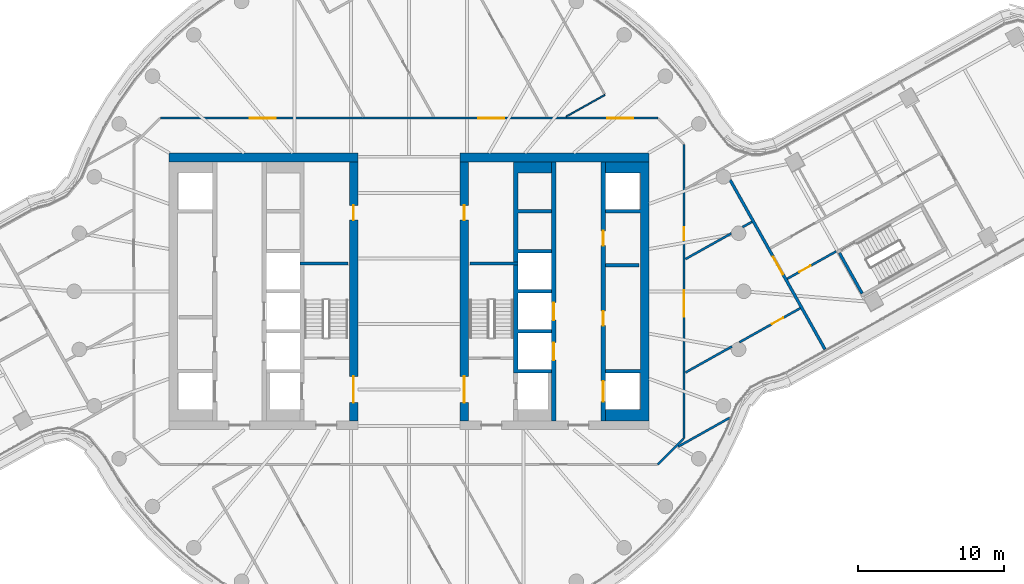
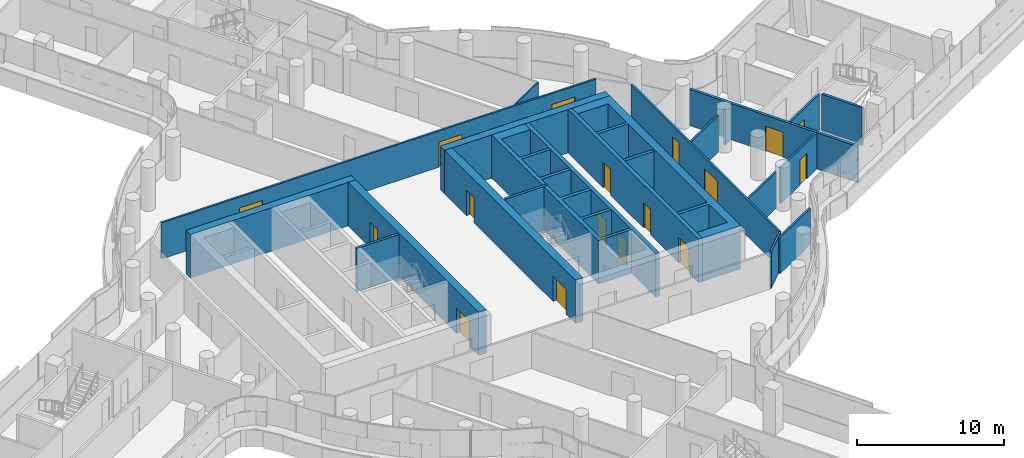
# One storey, part 23 of 34: 23 walls, 17 doors, 17 openings.
"""IFC4 building model written with IfcOpenShell, lengths in metres."""

import ifcopenshell
import ifcopenshell.guid

model = None  # the IFC model being written
_history = None  # IfcOwnerHistory: only IFC2X3 demands one
_inside = {}  # id of a spatial element -> (the spatial element, [elements in it])
_under = {}  # id of a project, library or spatial element -> (it, [spatial elements below it])
_declared = {}  # id of a project -> (the project, [libraries it declares])
_typed = {}  # id of a type object -> (the type object, [elements of that type])
_made_of = {}  # id of a material, layer set ... -> (it, [elements and type objects made of it])


def new_model(schema):
    """Start an empty IFC model of exactly this schema.

    Asked for "IFC4X3", IfcOpenShell would pick the latest addendum, in which some entities
    have other attributes; the version numbers below select the first issue.
    IFC2X3 requires an IfcOwnerHistory on every rooted entity: one is made here for all.
    """
    global model, _history
    if schema == "IFC4X3":
        model = ifcopenshell.file(schema_version=(4, 3, 0, 0))
    else:
        model = ifcopenshell.file(schema=schema)
    _inside.clear()
    _under.clear()
    _declared.clear()
    _typed.clear()
    _made_of.clear()
    _history = None
    if model.schema == "IFC2X3":
        org = make("IfcOrganization", Name="unknown")
        user = make(
            "IfcPersonAndOrganization",
            ThePerson=make("IfcPerson", FamilyName="unknown"),
            TheOrganization=org,
        )
        app = make(
            "IfcApplication",
            ApplicationDeveloper=org,
            Version="unknown",
            ApplicationFullName="unknown",
            ApplicationIdentifier="unknown",
        )
        _history = make(
            "IfcOwnerHistory",
            OwningUser=user,
            OwningApplication=app,
            ChangeAction="ADDED",
            CreationDate=0,
        )
    return model


def make(cls, **values):
    """One entity of the class cls with the attributes given. An attribute that is None is left unset."""
    return model.create_entity(
        cls, **{name: value for name, value in values.items() if value is not None}
    )


def rooted(cls, **values):
    """An entity with a GlobalId (a new one), such as an element, a storey or a relation."""
    return make(cls, GlobalId=ifcopenshell.guid.new(), OwnerHistory=_history, **values)


def si_unit(unit_type, name, prefix=None):
    """IfcSIUnit, for example si_unit("LENGTHUNIT", "METRE", prefix="MILLI")."""
    return make("IfcSIUnit", UnitType=unit_type, Prefix=prefix, Name=name)


def assignment(units):
    """IfcUnitAssignment: the units of a project."""
    return None if units is None else make("IfcUnitAssignment", Units=units)


def point(xyz):
    """IfcCartesianPoint."""
    return None if xyz is None else make("IfcCartesianPoint", Coordinates=xyz)


def direction(xyz):
    """IfcDirection."""
    return None if xyz is None else make("IfcDirection", DirectionRatios=xyz)


def frame(location, z_axis=None, x_axis=None):
    """IfcAxis2Placement3D, a coordinate frame: its origin and axes. An axis left out is left unset."""
    return make(
        "IfcAxis2Placement3D",
        Location=point(location),
        Axis=direction(z_axis),
        RefDirection=direction(x_axis),
    )


def frame_2d(location, x_axis=None):
    """IfcAxis2Placement2D, a coordinate frame in the plane: its origin and x axis."""
    return make(
        "IfcAxis2Placement2D", Location=point(location), RefDirection=direction(x_axis)
    )


def origin():
    """The frame at (0, 0, 0) with its axes left unset."""
    return frame((0.0, 0.0, 0.0))


def place(relative_to, where):
    """IfcLocalPlacement: puts the frame where relative to a parent placement (None: the world)."""
    return make(
        "IfcLocalPlacement", PlacementRelTo=relative_to, RelativePlacement=where
    )


def context(
    kind, dimensions, precision=None, world=None, true_north=None, identifier=None
):
    """IfcGeometricRepresentationContext, for example the 3D "Model" context."""
    return make(
        "IfcGeometricRepresentationContext",
        ContextIdentifier=identifier,
        ContextType=kind,
        CoordinateSpaceDimension=dimensions,
        Precision=precision,
        WorldCoordinateSystem=world,
        TrueNorth=true_north,
    )


def subcontext(parent, identifier, kind, view, scale=None):
    """IfcGeometricRepresentationSubContext, for example "Body" below "Model"."""
    return make(
        "IfcGeometricRepresentationSubContext",
        ContextIdentifier=identifier,
        ContextType=kind,
        ParentContext=parent,
        TargetScale=scale,
        TargetView=view,
    )


def project(units=None, contexts=None):
    """IfcProject with its units and contexts."""
    return rooted(
        "IfcProject",
        Name="project",
        RepresentationContexts=contexts,
        UnitsInContext=assignment(units),
    )


def spatial(cls, under=None, at=None, **own):
    """A site, building, storey or space (cls), placed at a placement, below another one or the project."""
    s = rooted(cls, ObjectPlacement=at, **own)
    if under is not None:
        _under.setdefault(under.id(), (under, []))[1].append(s)
    return s


def polyline(points):
    """IfcPolyline through the points."""
    return make("IfcPolyline", Points=[point(p) for p in points])


def profile(cls, at=None, kind="AREA", **sizes):
    """A parametric profile (cls). Its sizes go by their IFC names, for example OverallWidth=200.0."""
    return make(cls, ProfileType=kind, Position=at, **sizes)


def rectangle(**sizes):
    """IfcRectangleProfileDef."""
    return profile("IfcRectangleProfileDef", **sizes)


def outline(outer, holes=None, kind="AREA"):
    """IfcArbitraryClosedProfileDef: a profile drawn as a closed curve; with holes, ...WithVoids."""
    if holes is None:
        return make("IfcArbitraryClosedProfileDef", ProfileType=kind, OuterCurve=outer)
    return make(
        "IfcArbitraryProfileDefWithVoids",
        ProfileType=kind,
        OuterCurve=outer,
        InnerCurves=holes,
    )


def extrude(swept, where, along, depth):
    """IfcExtrudedAreaSolid: the profile swept, set in the frame where, extruded along a direction by depth."""
    return make(
        "IfcExtrudedAreaSolid",
        SweptArea=swept,
        Position=where,
        ExtrudedDirection=direction(along),
        Depth=depth,
    )


def shape(context_of_items, identifier, shape_type, items):
    """IfcShapeRepresentation: the items that make up one representation, for example the "Body"."""
    return make(
        "IfcShapeRepresentation",
        ContextOfItems=context_of_items,
        RepresentationIdentifier=identifier,
        RepresentationType=shape_type,
        Items=items,
    )


def material(Name=None, Category=None):
    """IfcMaterial."""
    return make("IfcMaterial", Name=Name, Category=Category)


def layer(
    of_material, thickness, ventilated=None, Name=None, Category=None, Priority=None
):
    """IfcMaterialLayer: one layer of a wall or slab, of a material (None: an air gap)."""
    return make(
        "IfcMaterialLayer",
        Material=of_material,
        LayerThickness=thickness,
        IsVentilated=ventilated,
        Name=Name,
        Category=Category,
        Priority=Priority,
    )


def layer_set(layers, Name=None):
    """IfcMaterialLayerSet."""
    return make("IfcMaterialLayerSet", MaterialLayers=layers, LayerSetName=Name)


def made_of(thing, what):
    """Note that an element or type object is made of a material, layer set ...; save() writes the relation."""
    if what is not None:
        _made_of.setdefault(what.id(), (what, []))[1].append(thing)
    return thing


def type_object(cls, material=None, **own):
    """A type object (cls), such as IfcWallType, which elements share."""
    return made_of(rooted(cls, **own), material)


def element(
    cls,
    number,
    at=None,
    inside=None,
    cuts=None,
    type_object=None,
    material=None,
    context=None,
    identifier="Body",
    shape_type=None,
    held_by="IfcProductDefinitionShape",
    body=None,
    shapes=None,
    **own,
):
    """One element of the class cls, such as IfcWall. Its Tag is "e" and its number.

    at: its placement. inside: the storey or other place that contains it. cuts: it is an
    opening in that element (IfcRelVoidsElement). A single representation is given by context,
    identifier, shape_type and body (its items); several are given by shapes. held_by: the class
    of the entity that holds the representations. save() writes the other relations.
    """
    e = rooted(cls, Tag="e%d" % number, ObjectPlacement=at, **own)
    if body is not None:
        shapes = [shape(context, identifier, shape_type, body)]
    if shapes is not None:
        e.Representation = make(held_by, Representations=shapes)
    if inside is not None:
        _inside.setdefault(inside.id(), (inside, []))[1].append(e)
    if cuts is not None:
        rooted(
            "IfcRelVoidsElement", RelatingBuildingElement=cuts, RelatedOpeningElement=e
        )
    if type_object is not None:
        _typed.setdefault(type_object.id(), (type_object, []))[1].append(e)
    return made_of(e, material)


def fill(opening, filler):
    """IfcRelFillsElement: the door or window that sits in an opening."""
    return rooted(
        "IfcRelFillsElement",
        RelatingOpeningElement=opening,
        RelatedBuildingElement=filler,
    )


def aggregate(whole, parts):
    """IfcRelAggregates: a whole, such as a stair, and the parts it consists of."""
    return rooted("IfcRelAggregates", RelatingObject=whole, RelatedObjects=parts)


def save(model, path):
    """Write the relations noted so far, then the file.

    IfcRelAggregates (storeys below a building ...), IfcRelContainedInSpatialStructure (elements
    in a storey), IfcRelDefinesByType, IfcRelAssociatesMaterial and IfcRelDeclares: one each for
    every whole, place, type object, material and project.
    """
    for whole, parts in _under.values():
        aggregate(whole, parts)
    for where, things in _inside.values():
        rooted(
            "IfcRelContainedInSpatialStructure",
            RelatedElements=things,
            RelatingStructure=where,
        )
    for kind, things in _typed.values():
        rooted("IfcRelDefinesByType", RelatedObjects=things, RelatingType=kind)
    for what, things in _made_of.values():
        rooted("IfcRelAssociatesMaterial", RelatedObjects=things, RelatingMaterial=what)
    for by, libraries in _declared.values():
        rooted("IfcRelDeclares", RelatingContext=by, RelatedDefinitions=libraries)
    model.write(path)


model = new_model("IFC4")

# Units and contexts
model_context = context("Model", 3, precision=1e-05, world=origin(), true_north=direction((0.0, 1.0)))
body_context = subcontext(model_context, "Body", "Model", "MODEL_VIEW")
ifc_project = project(units=[si_unit("LENGTHUNIT", "METRE"), si_unit("AREAUNIT", "SQUARE_METRE"), si_unit("VOLUMEUNIT", "CUBIC_METRE"), si_unit("PLANEANGLEUNIT", "RADIAN"), si_unit("MASSUNIT", "GRAM", prefix="KILO")], contexts=[model_context])

# Site, building, storey
site_placement = place(None, origin())
site = spatial("IfcSite", under=ifc_project, at=site_placement, CompositionType="ELEMENT")
building_placement = place(site_placement, origin())
building = spatial("IfcBuilding", under=site, at=building_placement, Name="Tamarind Cross Interchange Tower", CompositionType="ELEMENT")
storey_placement = place(building_placement, frame((0.0, 0.0, 140.5)))
storey = spatial("IfcBuildingStorey", under=building, at=storey_placement, Name="L34", CompositionType="ELEMENT", Elevation=140.5)

# Wall
ifc_material_1 = material(Name="Concrete C60", Category="concrete")
ifc_layer_1 = layer(ifc_material_1, 0.60009765625)
ifc_layer_set_1 = layer_set([ifc_layer_1], Name="Concrete C60")
wall_type_1 = type_object("IfcWallType", Name="Core wall 600 mm Concrete C60", PredefinedType="SHEAR", material=ifc_layer_set_1)
wall_1_placement = place(storey_placement, frame((-16.5, 9.199951171875, 0.0), z_axis=(0.0, 0.0, 1.0), x_axis=(1.0, 0.0, 0.0)))
element("IfcWall", 1, at=wall_1_placement, inside=storey, type_object=wall_type_1, Name="Core wall CWL-L34-W-NE", PredefinedType="SHEAR", context=body_context, shape_type="SweptSolid", body=[
    extrude(rectangle(XDim=13.0, YDim=0.60009765625, at=frame_2d((6.5, 0.0))), origin(), (0.0, 0.0, 1.0), 3.610107421875),
])

# Wall, openings, doors
wall_2_placement = place(storey_placement, frame((-3.800048828125, -8.89990234375, 0.0), z_axis=(0.0, 0.0, 1.0), x_axis=(0.0, 1.0, 0.0)))
wall_2 = element("IfcWall", 2, at=wall_2_placement, inside=storey, type_object=wall_type_1, Name="Core wall CWL-L34-W-IN", PredefinedType="SHEAR", context=body_context, shape_type="SweptSolid", body=[
    extrude(rectangle(XDim=17.7998046875, YDim=0.60009765625, at=frame_2d((8.89990234375, 0.0))), origin(), (0.0, 0.0, 1.0), 3.610107421875),
])
opening_1_placement = place(wall_2_placement, frame((1.25, 0.0, 0.0)))
opening_1 = element("IfcOpeningElement", 3, at=opening_1_placement, cuts=wall_2, Name="Opening DCW4", PredefinedType="OPENING", context=body_context, shape_type="SweptSolid", body=[
    extrude(rectangle(XDim=1.800048828125, YDim=2.10009765625, at=frame_2d((0.89990234375, 1.050048828125))), frame((0.0, 0.31005859375, 0.0), z_axis=(0.0, -1.0, 0.0), x_axis=(1.0, 0.0, 0.0)), (0.0, 0.0, 1.0), 0.6201171875),
])
opening_2_placement = place(wall_2_placement, frame((13.800048828125, 0.0, 0.0)))
opening_2 = element("IfcOpeningElement", 4, at=opening_2_placement, cuts=wall_2, Name="Opening DCW5", PredefinedType="OPENING", context=body_context, shape_type="SweptSolid", body=[
    extrude(rectangle(XDim=1.0, YDim=2.10009765625, at=frame_2d((0.5, 1.050048828125))), frame((0.0, 0.31005859375, 0.0), z_axis=(0.0, -1.0, 0.0), x_axis=(1.0, 0.0, 0.0)), (0.0, 0.0, 1.0), 0.6201171875),
])
ifc_material_2 = material(Name="Steel, fire-resisting", Category="steel")
door_type_1 = type_object("IfcDoorType", Name="Core fire door 1000 x 2100 FD90", OperationType="SINGLE_SWING_LEFT", PredefinedType="DOOR", material=ifc_material_2)
door_1_placement = place(opening_2_placement, origin())
door_1 = element("IfcDoor", 5, at=door_1_placement, inside=storey, type_object=door_type_1, Name="L34 riser room door", OperationType="SINGLE_SWING_LEFT", OverallHeight=2.10009765625, OverallWidth=1.0, PredefinedType="DOOR", context=body_context, shape_type="SweptSolid", body=[
    extrude(rectangle(XDim=1.0, YDim=2.10009765625, at=frame_2d((0.5, 1.050048828125))), frame((0.0, 0.02490234375, 0.0), z_axis=(0.0, -1.0, 0.0), x_axis=(1.0, 0.0, 0.0)), (0.0, 0.0, 1.0), 0.050048828125),
])
fill(opening_2, door_1)
door_type_2 = type_object("IfcDoorType", Name="Core fire door 1800 x 2100 FD90", OperationType="SINGLE_SWING_LEFT", PredefinedType="DOOR", material=ifc_material_2)
door_2_placement = place(opening_1_placement, origin())
door_2 = element("IfcDoor", 6, at=door_2_placement, inside=storey, type_object=door_type_2, Name="L34 firefighting lobby door", OperationType="SINGLE_SWING_LEFT", OverallHeight=2.10009765625, OverallWidth=1.800048828125, PredefinedType="DOOR", context=body_context, shape_type="SweptSolid", body=[
    extrude(rectangle(XDim=1.800048828125, YDim=2.10009765625, at=frame_2d((0.89990234375, 1.050048828125))), frame((0.0, 0.02490234375, 0.0), z_axis=(0.0, -1.0, 0.0), x_axis=(1.0, 0.0, 0.0)), (0.0, 0.0, 1.0), 0.050048828125),
])
fill(opening_1, door_2)

# Walls
wall_3_placement = place(storey_placement, origin())
element("IfcWall", 7, at=wall_3_placement, inside=storey, type_object=wall_type_1, Name="Core wall CWL-L34-E-A", PredefinedType="SHEAR", context=body_context, shape_type="SweptSolid", body=[
    extrude(outline(polyline([(13.5, -8.125), (13.5, -8.89990234375), (15.89990234375, -8.89990234375), (16.5, -8.89990234375), (16.5, 8.89990234375), (15.89990234375, 8.89990234375), (13.5, 8.89990234375), (13.5, 8.125), (15.89990234375, 8.125), (15.89990234375, 5.625), (13.5, 5.625), (13.5, 5.375), (15.89990234375, 5.375), (15.89990234375, -5.375), (13.5, -5.375), (13.5, -5.625), (15.89990234375, -5.625), (15.89990234375, -8.125), (13.5, -8.125)])), origin(), (0.0, 0.0, 1.0), 3.610107421875),
])
wall_4_placement = place(storey_placement, frame((16.5, 9.199951171875, 0.0), z_axis=(0.0, 0.0, 1.0), x_axis=(-1.0, 0.0, 0.0)))
element("IfcWall", 8, at=wall_4_placement, inside=storey, type_object=wall_type_1, Name="Core wall CWL-L34-E-NE", PredefinedType="SHEAR", context=body_context, shape_type="SweptSolid", body=[
    extrude(rectangle(XDim=13.0, YDim=0.60009765625, at=frame_2d((6.5, 0.0))), origin(), (0.0, 0.0, 1.0), 3.610107421875),
])

# Wall, openings, doors
wall_5_placement = place(storey_placement, frame((3.800048828125, -8.89990234375, 0.0), z_axis=(0.0, 0.0, 1.0), x_axis=(0.0, 1.0, 0.0)))
wall_5 = element("IfcWall", 9, at=wall_5_placement, inside=storey, type_object=wall_type_1, Name="Core wall CWL-L34-E-IN", PredefinedType="SHEAR", context=body_context, shape_type="SweptSolid", body=[
    extrude(rectangle(XDim=17.7998046875, YDim=0.60009765625, at=frame_2d((8.89990234375, 0.0))), origin(), (0.0, 0.0, 1.0), 3.610107421875),
])
opening_3_placement = place(wall_5_placement, frame((1.25, 0.0, 0.0)))
opening_3 = element("IfcOpeningElement", 10, at=opening_3_placement, cuts=wall_5, Name="Opening DCE4", PredefinedType="OPENING", context=body_context, shape_type="SweptSolid", body=[
    extrude(rectangle(XDim=1.800048828125, YDim=2.10009765625, at=frame_2d((0.89990234375, 1.050048828125))), frame((0.0, 0.31005859375, 0.0), z_axis=(0.0, -1.0, 0.0), x_axis=(1.0, 0.0, 0.0)), (0.0, 0.0, 1.0), 0.6201171875),
])
opening_4_placement = place(wall_5_placement, frame((13.800048828125, 0.0, 0.0)))
opening_4 = element("IfcOpeningElement", 11, at=opening_4_placement, cuts=wall_5, Name="Opening DCE5", PredefinedType="OPENING", context=body_context, shape_type="SweptSolid", body=[
    extrude(rectangle(XDim=1.0, YDim=2.10009765625, at=frame_2d((0.5, 1.050048828125))), frame((0.0, 0.31005859375, 0.0), z_axis=(0.0, -1.0, 0.0), x_axis=(1.0, 0.0, 0.0)), (0.0, 0.0, 1.0), 0.6201171875),
])
door_3_placement = place(opening_4_placement, origin())
door_3 = element("IfcDoor", 12, at=door_3_placement, inside=storey, type_object=door_type_1, Name="L34 riser room door", OperationType="SINGLE_SWING_LEFT", OverallHeight=2.10009765625, OverallWidth=1.0, PredefinedType="DOOR", context=body_context, shape_type="SweptSolid", body=[
    extrude(rectangle(XDim=1.0, YDim=2.10009765625, at=frame_2d((0.5, 1.050048828125))), frame((0.0, 0.02490234375, 0.0), z_axis=(0.0, -1.0, 0.0), x_axis=(1.0, 0.0, 0.0)), (0.0, 0.0, 1.0), 0.050048828125),
])
fill(opening_4, door_3)
door_4_placement = place(opening_3_placement, origin())
door_4 = element("IfcDoor", 13, at=door_4_placement, inside=storey, type_object=door_type_2, Name="L34 firefighting lobby door", OperationType="SINGLE_SWING_LEFT", OverallHeight=2.10009765625, OverallWidth=1.800048828125, PredefinedType="DOOR", context=body_context, shape_type="SweptSolid", body=[
    extrude(rectangle(XDim=1.800048828125, YDim=2.10009765625, at=frame_2d((0.89990234375, 1.050048828125))), frame((0.0, 0.02490234375, 0.0), z_axis=(0.0, -1.0, 0.0), x_axis=(1.0, 0.0, 0.0)), (0.0, 0.0, 1.0), 0.050048828125),
])
fill(opening_3, door_4)

# Walls
ifc_layer_2 = layer(ifc_material_1, 0.199951171875)
ifc_layer_set_2 = layer_set([ifc_layer_2], Name="Concrete C60")
wall_type_2 = type_object("IfcWallType", Name="Core web wall 200 mm Concrete C60", PredefinedType="SHEAR", material=ifc_layer_set_2)
for number, where, z_axis, x_axis, name in (
    (14, (-7.5, 1.89990234375, 0.0), (0.0, 0.0, 1.0), (1.0, 0.0, 0.0), "Core wall CWL-L34-W-BD"),
    (15, (7.5, 1.89990234375, 0.0), (0.0, 0.0, 1.0), (-1.0, 0.0, 0.0), "Core wall CWL-L34-E-BD"),
):
    element("IfcWall", number, at=place(storey_placement, frame(where, z_axis=z_axis, x_axis=x_axis)), inside=storey, type_object=wall_type_2, Name=name, PredefinedType="SHEAR", context=body_context, shape_type="SweptSolid", body=[
        extrude(rectangle(XDim=3.300048828125, YDim=0.199951171875, at=frame_2d((1.64990234375, 0.0))), origin(), (0.0, 0.0, 1.0), 3.610107421875),
    ])
ifc_layer_3 = layer(ifc_material_1, 0.300048828125)
ifc_layer_set_3 = layer_set([ifc_layer_3], Name="Concrete C60")
wall_type_3 = type_object("IfcWallType", Name="Core web wall 300 mm Concrete C60", PredefinedType="SHEAR", material=ifc_layer_set_3)
wall_6_placement = place(storey_placement, origin())
element("IfcWall", 16, at=wall_6_placement, inside=storey, type_object=wall_type_3, Name="Core wall CWL-L34-E-BN", PredefinedType="SHEAR", context=body_context, shape_type="SweptSolid", body=[
    extrude(outline(polyline([(9.800048828125, -5.375), (7.5, -5.375), (7.5, -2.875), (9.800048828125, -2.875), (9.800048828125, -2.625), (7.5, -2.625), (7.5, -0.125), (9.800048828125, -0.125), (9.800048828125, 0.125), (7.5, 0.125), (7.5, 2.625), (9.800048828125, 2.625), (9.800048828125, 2.875), (7.5, 2.875), (7.5, 5.375), (9.800048828125, 5.375), (9.800048828125, 5.625), (7.5, 5.625), (7.5, 8.125), (9.800048828125, 8.125), (9.800048828125, 8.89990234375), (7.5, 8.89990234375), (7.199951171875, 8.89990234375), (7.199951171875, -5.625), (7.5, -5.625), (9.800048828125, -5.625), (9.800048828125, -5.375)])), origin(), (0.0, 0.0, 1.0), 3.610107421875),
])

# Wall, openings, doors
wall_7_placement = place(storey_placement, frame((13.35009765625, -8.89990234375, 0.0), z_axis=(0.0, 0.0, 1.0), x_axis=(0.0, 1.0, 0.0)))
wall_7 = element("IfcWall", 17, at=wall_7_placement, inside=storey, type_object=wall_type_3, Name="Core wall CWL-L34-E-LA", PredefinedType="SHEAR", context=body_context, shape_type="SweptSolid", body=[
    extrude(rectangle(XDim=17.7998046875, YDim=0.300048828125, at=frame_2d((8.89990234375, 0.0))), origin(), (0.0, 0.0, 1.0), 3.610107421875),
])
opening_5_placement = place(wall_7_placement, frame((1.324951171875, 0.0, 0.0)))
opening_5 = element("IfcOpeningElement", 18, at=opening_5_placement, cuts=wall_7, Name="Opening LD13L34", PredefinedType="OPENING", context=body_context, shape_type="SweptSolid", body=[
    extrude(rectangle(XDim=1.39990234375, YDim=2.10009765625, at=frame_2d((0.699951171875, 1.050048828125))), frame((0.0, 0.159912109375, 0.0), z_axis=(0.0, -1.0, 0.0), x_axis=(1.0, 0.0, 0.0)), (0.0, 0.0, 1.0), 0.320068359375),
])
opening_6_placement = place(wall_7_placement, frame((6.5458984375, 0.0, 0.0)))
opening_6 = element("IfcOpeningElement", 19, at=opening_6_placement, cuts=wall_7, Name="Opening DCE9", PredefinedType="OPENING", context=body_context, shape_type="SweptSolid", body=[
    extrude(rectangle(XDim=1.0, YDim=2.10009765625, at=frame_2d((0.5, 1.050048828125))), frame((0.0, 0.159912109375, 0.0), z_axis=(0.0, -1.0, 0.0), x_axis=(1.0, 0.0, 0.0)), (0.0, 0.0, 1.0), 0.320068359375),
])
opening_7_placement = place(wall_7_placement, frame((12.0458984375, 0.0, 0.0)))
opening_7 = element("IfcOpeningElement", 20, at=opening_7_placement, cuts=wall_7, Name="Opening DCE10", PredefinedType="OPENING", context=body_context, shape_type="SweptSolid", body=[
    extrude(rectangle(XDim=1.0, YDim=2.10009765625, at=frame_2d((0.5, 1.050048828125))), frame((0.0, 0.159912109375, 0.0), z_axis=(0.0, -1.0, 0.0), x_axis=(1.0, 0.0, 0.0)), (0.0, 0.0, 1.0), 0.320068359375),
])
door_5_placement = place(opening_6_placement, origin())
door_5 = element("IfcDoor", 21, at=door_5_placement, inside=storey, type_object=door_type_1, Name="L34 IT room door", OperationType="SINGLE_SWING_LEFT", OverallHeight=2.10009765625, OverallWidth=1.0, PredefinedType="DOOR", context=body_context, shape_type="SweptSolid", body=[
    extrude(rectangle(XDim=1.0, YDim=2.10009765625, at=frame_2d((0.5, 1.050048828125))), frame((0.0, 0.02490234375, 0.0), z_axis=(0.0, -1.0, 0.0), x_axis=(1.0, 0.0, 0.0)), (0.0, 0.0, 1.0), 0.050048828125),
])
fill(opening_6, door_5)
door_6_placement = place(opening_7_placement, origin())
door_6 = element("IfcDoor", 22, at=door_6_placement, inside=storey, type_object=door_type_1, Name="L34 Cable room door", OperationType="SINGLE_SWING_LEFT", OverallHeight=2.10009765625, OverallWidth=1.0, PredefinedType="DOOR", context=body_context, shape_type="SweptSolid", body=[
    extrude(rectangle(XDim=1.0, YDim=2.10009765625, at=frame_2d((0.5, 1.050048828125))), frame((0.0, 0.02490234375, 0.0), z_axis=(0.0, -1.0, 0.0), x_axis=(1.0, 0.0, 0.0)), (0.0, 0.0, 1.0), 0.050048828125),
])
fill(opening_7, door_6)
ifc_material_3 = material(Name="Stainless steel panel", Category="steel")
door_type_3 = type_object("IfcDoorType", Name="Lift landing door 1400 x 2100 E 120", OperationType="SLIDING_TO_LEFT", PredefinedType="DOOR", material=ifc_material_3)
door_7_placement = place(opening_5_placement, origin())
door_7 = element("IfcDoor", 23, at=door_7_placement, inside=storey, type_object=door_type_3, Name="L34 landing door LF13", OperationType="SLIDING_TO_LEFT", OverallHeight=2.10009765625, OverallWidth=1.39990234375, PredefinedType="DOOR", context=body_context, shape_type="SweptSolid", body=[
    extrude(rectangle(XDim=1.39990234375, YDim=2.10009765625, at=frame_2d((0.699951171875, 1.050048828125))), frame((0.0, 0.02490234375, 0.0), z_axis=(0.0, -1.0, 0.0), x_axis=(1.0, 0.0, 0.0)), (0.0, 0.0, 1.0), 0.050048828125),
])
fill(opening_5, door_7)

wall_8_placement = place(storey_placement, frame((9.949951171875, -8.89990234375, 0.0), z_axis=(0.0, 0.0, 1.0), x_axis=(0.0, 1.0, 0.0)))
wall_8 = element("IfcWall", 24, at=wall_8_placement, inside=storey, type_object=wall_type_3, Name="Core wall CWL-L34-E-LB", PredefinedType="SHEAR", context=body_context, shape_type="SweptSolid", body=[
    extrude(rectangle(XDim=17.7998046875, YDim=0.300048828125, at=frame_2d((8.89990234375, 0.0))), origin(), (0.0, 0.0, 1.0), 3.610107421875),
])
opening_8_placement = place(wall_8_placement, frame((4.175048828125, 0.0, 0.0)))
opening_8 = element("IfcOpeningElement", 25, at=opening_8_placement, cuts=wall_8, Name="Opening LD20L34", PredefinedType="OPENING", context=body_context, shape_type="SweptSolid", body=[
    extrude(rectangle(XDim=1.199951171875, YDim=2.10009765625, at=frame_2d((0.60009765625, 1.050048828125))), frame((0.0, 0.159912109375, 0.0), z_axis=(0.0, -1.0, 0.0), x_axis=(1.0, 0.0, 0.0)), (0.0, 0.0, 1.0), 0.320068359375),
])
opening_9_placement = place(wall_8_placement, frame((6.925048828125, 0.0, 0.0)))
opening_9 = element("IfcOpeningElement", 26, at=opening_9_placement, cuts=wall_8, Name="Opening LD21L34", PredefinedType="OPENING", context=body_context, shape_type="SweptSolid", body=[
    extrude(rectangle(XDim=1.199951171875, YDim=2.10009765625, at=frame_2d((0.60009765625, 1.050048828125))), frame((0.0, 0.159912109375, 0.0), z_axis=(0.0, -1.0, 0.0), x_axis=(1.0, 0.0, 0.0)), (0.0, 0.0, 1.0), 0.320068359375),
])
door_type_4 = type_object("IfcDoorType", Name="Lift landing door 1200 x 2100 E 120", OperationType="SLIDING_TO_LEFT", PredefinedType="DOOR", material=ifc_material_3)
door_8_placement = place(opening_8_placement, origin())
door_8 = element("IfcDoor", 27, at=door_8_placement, inside=storey, type_object=door_type_4, Name="L34 landing door LF20", OperationType="SLIDING_TO_LEFT", OverallHeight=2.10009765625, OverallWidth=1.199951171875, PredefinedType="DOOR", context=body_context, shape_type="SweptSolid", body=[
    extrude(rectangle(XDim=1.199951171875, YDim=2.10009765625, at=frame_2d((0.60009765625, 1.050048828125))), frame((0.0, 0.02490234375, 0.0), z_axis=(0.0, -1.0, 0.0), x_axis=(1.0, 0.0, 0.0)), (0.0, 0.0, 1.0), 0.050048828125),
])
fill(opening_8, door_8)
door_9_placement = place(opening_9_placement, origin())
door_9 = element("IfcDoor", 28, at=door_9_placement, inside=storey, type_object=door_type_4, Name="L34 landing door LF21", OperationType="SLIDING_TO_LEFT", OverallHeight=2.10009765625, OverallWidth=1.199951171875, PredefinedType="DOOR", context=body_context, shape_type="SweptSolid", body=[
    extrude(rectangle(XDim=1.199951171875, YDim=2.10009765625, at=frame_2d((0.60009765625, 1.050048828125))), frame((0.0, 0.02490234375, 0.0), z_axis=(0.0, -1.0, 0.0), x_axis=(1.0, 0.0, 0.0)), (0.0, 0.0, 1.0), 0.050048828125),
])
fill(opening_9, door_9)

# Wall
ifc_material_4 = material(Name="Gypsum board partition on steel studs", Category="steel")
ifc_layer_4 = layer(ifc_material_4, 0.10009765625)
ifc_layer_set_4 = layer_set([ifc_layer_4], Name="Gypsum board partition on steel studs")
wall_type_4 = type_object("IfcWallType", Name="Partition 100 mm EI 120", PredefinedType="PARTITIONING", material=ifc_layer_set_4)
wall_9_placement = place(storey_placement, frame((10.7958984375, 12.000244140625, 0.0), z_axis=(0.0, 0.0, 1.0), x_axis=(0.872341753977, 0.488896578294, 0.0)))
element("IfcWall", 29, at=wall_9_placement, inside=storey, type_object=wall_type_4, Name="Partition L34-060", PredefinedType="PARTITIONING", context=body_context, shape_type="SweptSolid", body=[
    extrude(rectangle(XDim=3.067626953125, YDim=0.10009765625, at=frame_2d((1.53369140625, 0.0))), origin(), (0.0, 0.0, 1.0), 3.010009765625),
])

# Wall, openings, doors
ifc_layer_5 = layer(ifc_material_4, 0.14990234375)
ifc_layer_set_5 = layer_set([ifc_layer_5], Name="Gypsum board partition on steel studs")
wall_type_5 = type_object("IfcWallType", Name="Partition 150 mm EI 120", PredefinedType="PARTITIONING", material=ifc_layer_set_5)
wall_10_placement = place(storey_placement, frame((-17.06494140625, 11.89990234375, 0.0), z_axis=(0.0, 0.0, 1.0), x_axis=(1.0, 0.0, 0.0)))
wall_10 = element("IfcWall", 30, at=wall_10_placement, inside=storey, type_object=wall_type_5, Name="Partition L34-037", PredefinedType="PARTITIONING", context=body_context, shape_type="SweptSolid", body=[
    extrude(rectangle(XDim=34.1650390625, YDim=0.14990234375, at=frame_2d((17.08251953125, 0.0))), origin(), (0.0, 0.0, 1.0), 3.010009765625),
])
opening_10_placement = place(wall_10_placement, frame((21.824951171875, 0.0, 0.0)))
opening_10 = element("IfcOpeningElement", 31, at=opening_10_placement, cuts=wall_10, Name="Opening D22", PredefinedType="OPENING", context=body_context, shape_type="SweptSolid", body=[
    extrude(rectangle(XDim=1.800048828125, YDim=2.10009765625, at=frame_2d((0.89990234375, 1.050048828125))), frame((0.0, 0.0849609375, 0.0), z_axis=(0.0, -1.0, 0.0), x_axis=(1.0, 0.0, 0.0)), (0.0, 0.0, 1.0), 0.169921875),
])
opening_11_placement = place(wall_10_placement, frame((30.681884765625, 0.0, 0.0)))
opening_11 = element("IfcOpeningElement", 32, at=opening_11_placement, cuts=wall_10, Name="Opening D23", PredefinedType="OPENING", context=body_context, shape_type="SweptSolid", body=[
    extrude(rectangle(XDim=1.800048828125, YDim=2.10009765625, at=frame_2d((0.89990234375, 1.050048828125))), frame((0.0, 0.0849609375, 0.0), z_axis=(0.0, -1.0, 0.0), x_axis=(1.0, 0.0, 0.0)), (0.0, 0.0, 1.0), 0.169921875),
])
opening_12_placement = place(wall_10_placement, frame((6.114990234375, 0.0, 0.0)))
opening_12 = element("IfcOpeningElement", 33, at=opening_12_placement, cuts=wall_10, Name="Opening D24", PredefinedType="OPENING", context=body_context, shape_type="SweptSolid", body=[
    extrude(rectangle(XDim=1.800048828125, YDim=2.10009765625, at=frame_2d((0.89990234375, 1.050048828125))), frame((0.0, 0.0849609375, 0.0), z_axis=(0.0, -1.0, 0.0), x_axis=(1.0, 0.0, 0.0)), (0.0, 0.0, 1.0), 0.169921875),
])
ifc_material_5 = material(Name="Fire-resisting door set")
door_type_5 = type_object("IfcDoorType", Name="Interior door 1800 x 2100 FD60S", OperationType="DOUBLE_DOOR_SINGLE_SWING", PredefinedType="DOOR", material=ifc_material_5)
door_10_placement = place(opening_10_placement, frame((1.800048828125, 0.0, 0.0), z_axis=(0.0, 0.0, 1.0), x_axis=(-1.0, 0.0, 0.0)))
door_10 = element("IfcDoor", 34, at=door_10_placement, inside=storey, type_object=door_type_5, Name="Door D22", OperationType="DOUBLE_DOOR_SINGLE_SWING", OverallHeight=2.10009765625, OverallWidth=1.800048828125, PredefinedType="DOOR", context=body_context, shape_type="SweptSolid", body=[
    extrude(rectangle(XDim=1.800048828125, YDim=2.10009765625, at=frame_2d((0.89990234375, 1.050048828125))), frame((0.0, 0.02490234375, 0.0), z_axis=(0.0, -1.0, 0.0), x_axis=(1.0, 0.0, 0.0)), (0.0, 0.0, 1.0), 0.050048828125),
])
fill(opening_10, door_10)
door_11_placement = place(opening_11_placement, origin())
door_11 = element("IfcDoor", 35, at=door_11_placement, inside=storey, type_object=door_type_5, Name="Door D23", OperationType="DOUBLE_DOOR_SINGLE_SWING", OverallHeight=2.10009765625, OverallWidth=1.800048828125, PredefinedType="DOOR", context=body_context, shape_type="SweptSolid", body=[
    extrude(rectangle(XDim=1.800048828125, YDim=2.10009765625, at=frame_2d((0.89990234375, 1.050048828125))), frame((0.0, 0.02490234375, 0.0), z_axis=(0.0, -1.0, 0.0), x_axis=(1.0, 0.0, 0.0)), (0.0, 0.0, 1.0), 0.050048828125),
])
fill(opening_11, door_11)
door_12_placement = place(opening_12_placement, frame((1.800048828125, 0.0, 0.0), z_axis=(0.0, 0.0, 1.0), x_axis=(-1.0, 0.0, 0.0)))
door_12 = element("IfcDoor", 36, at=door_12_placement, inside=storey, type_object=door_type_5, Name="Door D24", OperationType="DOUBLE_DOOR_SINGLE_SWING", OverallHeight=2.10009765625, OverallWidth=1.800048828125, PredefinedType="DOOR", context=body_context, shape_type="SweptSolid", body=[
    extrude(rectangle(XDim=1.800048828125, YDim=2.10009765625, at=frame_2d((0.89990234375, 1.050048828125))), frame((0.0, 0.02490234375, 0.0), z_axis=(0.0, -1.0, 0.0), x_axis=(1.0, 0.0, 0.0)), (0.0, 0.0, 1.0), 0.050048828125),
])
fill(opening_12, door_12)

# Walls
wall_11_placement = place(storey_placement, frame((18.493896484375, -10.6748046875, 0.0), z_axis=(0.0, 0.0, 1.0), x_axis=(0.872412835083, 0.488769726131, 0.0)))
element("IfcWall", 37, at=wall_11_placement, inside=storey, type_object=wall_type_5, Name="Partition L34-061", PredefinedType="PARTITIONING", context=body_context, shape_type="SweptSolid", body=[
    extrude(rectangle(XDim=4.06640625, YDim=0.14990234375, at=frame_2d((2.033203125, 0.0))), origin(), (0.0, 0.0, 1.0), 3.010009765625),
])
wall_12_placement = place(storey_placement, frame((18.99609375, -5.5791015625, 0.0), z_axis=(0.0, 0.0, 1.0), x_axis=(0.872475366489, 0.488658096086, 0.0)))
element("IfcWall", 38, at=wall_12_placement, inside=storey, type_object=wall_type_5, Name="Partition L34-062", PredefinedType="PARTITIONING", context=body_context, shape_type="SweptSolid", body=[
    extrude(rectangle(XDim=3.667724609375, YDim=0.14990234375, at=frame_2d((1.833984375, 0.0))), origin(), (0.0, 0.0, 1.0), 3.010009765625),
])

# Wall, opening, door
wall_13_placement = place(storey_placement, frame((22.708984375, -3.49951171875, 0.0), z_axis=(0.0, 0.0, 1.0), x_axis=(0.872484295483, 0.488642153458, 0.0)))
wall_13 = element("IfcWall", 39, at=wall_13_placement, inside=storey, type_object=wall_type_5, Name="Partition L34-063", PredefinedType="PARTITIONING", context=body_context, shape_type="SweptSolid", body=[
    extrude(rectangle(XDim=4.7919921875, YDim=0.14990234375, at=frame_2d((2.39599609375, 0.0))), origin(), (0.0, 0.0, 1.0), 3.010009765625),
])
opening_13_placement = place(wall_13_placement, frame((2.550048828125, 0.0, 0.0)))
opening_13 = element("IfcOpeningElement", 40, at=opening_13_placement, cuts=wall_13, Name="Opening D34", PredefinedType="OPENING", context=body_context, shape_type="SweptSolid", body=[
    extrude(rectangle(XDim=0.89990234375, YDim=2.10009765625, at=frame_2d((0.449951171875, 1.050048828125))), frame((0.0, 0.0849609375, 0.0), z_axis=(0.0, -1.0, 0.0), x_axis=(1.0, 0.0, 0.0)), (0.0, 0.0, 1.0), 0.169921875),
])
door_type_6 = type_object("IfcDoorType", Name="Interior door 900 x 2100 FD60S", OperationType="SINGLE_SWING_LEFT", PredefinedType="DOOR", material=ifc_material_5)
door_13_placement = place(opening_13_placement, frame((0.89990234375, 0.0, 0.0), z_axis=(0.0, 0.0, 1.0), x_axis=(-1.0, 0.0, 0.0)))
door_13 = element("IfcDoor", 41, at=door_13_placement, inside=storey, type_object=door_type_6, Name="Door D34", OperationType="SINGLE_SWING_RIGHT", OverallHeight=2.10009765625, OverallWidth=0.89990234375, PredefinedType="DOOR", context=body_context, shape_type="SweptSolid", body=[
    extrude(rectangle(XDim=0.89990234375, YDim=2.10009765625, at=frame_2d((0.449951171875, 1.050048828125))), frame((0.0, 0.02490234375, 0.0), z_axis=(0.0, -1.0, 0.0), x_axis=(1.0, 0.0, 0.0)), (0.0, 0.0, 1.0), 0.050048828125),
])
fill(opening_13, door_13)

# Walls
wall_14_placement = place(storey_placement, frame((18.99609375, 2.214599609375, 0.0), z_axis=(0.0, 0.0, 1.0), x_axis=(0.872502555335, 0.488609548549, 0.0)))
element("IfcWall", 42, at=wall_14_placement, inside=storey, type_object=wall_type_5, Name="Partition L34-064", PredefinedType="PARTITIONING", context=body_context, shape_type="SweptSolid", body=[
    extrude(rectangle(XDim=3.609130859375, YDim=0.14990234375, at=frame_2d((1.8046875, 0.0))), origin(), (0.0, 0.0, 1.0), 3.010009765625),
])
wall_15_placement = place(storey_placement, frame((22.92578125, 4.415283203125, 0.0), z_axis=(0.0, 0.0, 1.0), x_axis=(0.87250601595, 0.488603368932, 0.0)))
element("IfcWall", 43, at=wall_15_placement, inside=storey, type_object=wall_type_5, Name="Partition L34-065", PredefinedType="PARTITIONING", context=body_context, shape_type="SweptSolid", body=[
    extrude(rectangle(XDim=0.734619140625, YDim=0.14990234375, at=frame_2d((0.3671875, 0.0))), origin(), (0.0, 0.0, 1.0), 3.010009765625),
])

# Wall, opening, door
wall_16_placement = place(storey_placement, frame((25.9892578125, 0.85888671875, 0.0), z_axis=(0.0, 0.0, 1.0), x_axis=(0.872442375401, 0.488716995413, 0.0)))
wall_16 = element("IfcWall", 44, at=wall_16_placement, inside=storey, type_object=wall_type_5, Name="Partition L34-068", PredefinedType="PARTITIONING", context=body_context, shape_type="SweptSolid", body=[
    extrude(rectangle(XDim=3.860107421875, YDim=0.14990234375, at=frame_2d((1.93017578125, 0.0))), origin(), (0.0, 0.0, 1.0), 3.010009765625),
])
opening_14_placement = place(wall_16_placement, frame((0.949951171875, 0.0, 0.0)))
opening_14 = element("IfcOpeningElement", 45, at=opening_14_placement, cuts=wall_16, Name="Opening D38", PredefinedType="OPENING", context=body_context, shape_type="SweptSolid", body=[
    extrude(rectangle(XDim=0.89990234375, YDim=2.10009765625, at=frame_2d((0.449951171875, 1.050048828125))), frame((0.0, 0.0849609375, 0.0), z_axis=(0.0, -1.0, 0.0), x_axis=(1.0, 0.0, 0.0)), (0.0, 0.0, 1.0), 0.169921875),
])
door_14_placement = place(opening_14_placement, frame((0.89990234375, 0.0, 0.0), z_axis=(0.0, 0.0, 1.0), x_axis=(-1.0, 0.0, 0.0)))
door_14 = element("IfcDoor", 46, at=door_14_placement, inside=storey, type_object=door_type_6, Name="Door D38", OperationType="SINGLE_SWING_LEFT", OverallHeight=2.10009765625, OverallWidth=0.89990234375, PredefinedType="DOOR", context=body_context, shape_type="SweptSolid", body=[
    extrude(rectangle(XDim=0.89990234375, YDim=2.10009765625, at=frame_2d((0.449951171875, 1.050048828125))), frame((0.0, 0.02490234375, 0.0), z_axis=(0.0, -1.0, 0.0), x_axis=(1.0, 0.0, 0.0)), (0.0, 0.0, 1.0), 0.050048828125),
])
fill(opening_14, door_14)

# Wall
wall_17_placement = place(storey_placement, frame((17.10009765625, -11.89990234375, 0.0), z_axis=(0.0, 0.0, 1.0), x_axis=(0.707106781187, 0.707106781187, 0.0)))
element("IfcWall", 47, at=wall_17_placement, inside=storey, type_object=wall_type_5, Name="Partition L34-071", PredefinedType="PARTITIONING", context=body_context, shape_type="SweptSolid", body=[
    extrude(rectangle(XDim=2.50537109375, YDim=0.14990234375, at=frame_2d((1.252685546875, 0.0))), origin(), (0.0, 0.0, 1.0), 3.010009765625),
])

# Wall, openings, doors
wall_18_placement = place(storey_placement, frame((18.89990234375, -10.10009765625, 0.0), z_axis=(0.0, 0.0, 1.0), x_axis=(0.0, 1.0, 0.0)))
wall_18 = element("IfcWall", 48, at=wall_18_placement, inside=storey, type_object=wall_type_5, Name="Partition L34-073", PredefinedType="PARTITIONING", context=body_context, shape_type="SweptSolid", body=[
    extrude(rectangle(XDim=20.2001953125, YDim=0.14990234375, at=frame_2d((10.10009765625, 0.0))), origin(), (0.0, 0.0, 1.0), 3.010009765625),
])
opening_15_placement = place(wall_18_placement, frame((8.366943359375, 0.0, 0.0)))
opening_15 = element("IfcOpeningElement", 49, at=opening_15_placement, cuts=wall_18, Name="Opening D41", PredefinedType="OPENING", context=body_context, shape_type="SweptSolid", body=[
    extrude(rectangle(XDim=1.800048828125, YDim=2.10009765625, at=frame_2d((0.89990234375, 1.050048828125))), frame((0.0, 0.0849609375, 0.0), z_axis=(0.0, -1.0, 0.0), x_axis=(1.0, 0.0, 0.0)), (0.0, 0.0, 1.0), 0.169921875),
])
opening_16_placement = place(wall_18_placement, frame((13.611083984375, 0.0, 0.0)))
opening_16 = element("IfcOpeningElement", 50, at=opening_16_placement, cuts=wall_18, Name="Opening D42", PredefinedType="OPENING", context=body_context, shape_type="SweptSolid", body=[
    extrude(rectangle(XDim=0.89990234375, YDim=2.10009765625, at=frame_2d((0.449951171875, 1.050048828125))), frame((0.0, 0.0849609375, 0.0), z_axis=(0.0, -1.0, 0.0), x_axis=(1.0, 0.0, 0.0)), (0.0, 0.0, 1.0), 0.169921875),
])
door_15_placement = place(opening_15_placement, origin())
door_15 = element("IfcDoor", 51, at=door_15_placement, inside=storey, type_object=door_type_5, Name="Door D41", OperationType="DOUBLE_DOOR_SINGLE_SWING", OverallHeight=2.10009765625, OverallWidth=1.800048828125, PredefinedType="DOOR", context=body_context, shape_type="SweptSolid", body=[
    extrude(rectangle(XDim=1.800048828125, YDim=2.10009765625, at=frame_2d((0.89990234375, 1.050048828125))), frame((0.0, 0.02490234375, 0.0), z_axis=(0.0, -1.0, 0.0), x_axis=(1.0, 0.0, 0.0)), (0.0, 0.0, 1.0), 0.050048828125),
])
fill(opening_15, door_15)
door_16_placement = place(opening_16_placement, frame((0.89990234375, 0.0, 0.0), z_axis=(0.0, 0.0, 1.0), x_axis=(-1.0, 0.0, 0.0)))
door_16 = element("IfcDoor", 52, at=door_16_placement, inside=storey, type_object=door_type_6, Name="Door D42", OperationType="SINGLE_SWING_RIGHT", OverallHeight=2.10009765625, OverallWidth=0.89990234375, PredefinedType="DOOR", context=body_context, shape_type="SweptSolid", body=[
    extrude(rectangle(XDim=0.89990234375, YDim=2.10009765625, at=frame_2d((0.449951171875, 1.050048828125))), frame((0.0, 0.02490234375, 0.0), z_axis=(0.0, -1.0, 0.0), x_axis=(1.0, 0.0, 0.0)), (0.0, 0.0, 1.0), 0.050048828125),
])
fill(opening_16, door_16)

# Wall, opening, door
ifc_layer_6 = layer(ifc_material_4, 0.199951171875)
ifc_layer_set_6 = layer_set([ifc_layer_6], Name="Gypsum board partition on steel studs")
wall_type_6 = type_object("IfcWallType", Name="Partition 200 mm EI 180", PredefinedType="PARTITIONING", material=ifc_layer_set_6)
wall_19_placement = place(storey_placement, frame((22.066650390625, 7.656494140625, 0.0), z_axis=(0.0, 0.0, 1.0), x_axis=(0.488719781304, -0.872440814819, 0.0)))
wall_19 = element("IfcWall", 53, at=wall_19_placement, inside=storey, type_object=wall_type_6, Name="Partition L34-027", PredefinedType="PARTITIONING", context=body_context, shape_type="SweptSolid", body=[
    extrude(rectangle(XDim=13.346435546875, YDim=0.199951171875, at=frame_2d((6.67333984375, 0.0))), origin(), (0.0, 0.0, 1.0), 3.010009765625),
])
opening_17_placement = place(wall_19_placement, frame((6.047607421875, 0.0, 0.0)))
opening_17 = element("IfcOpeningElement", 54, at=opening_17_placement, cuts=wall_19, Name="Opening D17", PredefinedType="OPENING", context=body_context, shape_type="SweptSolid", body=[
    extrude(rectangle(XDim=1.39990234375, YDim=2.10009765625, at=frame_2d((0.699951171875, 1.050048828125))), frame((0.0, 0.10986328125, 0.0), z_axis=(0.0, -1.0, 0.0), x_axis=(1.0, 0.0, 0.0)), (0.0, 0.0, 1.0), 0.219970703125),
])
door_type_7 = type_object("IfcDoorType", Name="Interior door 1400 x 2100 FD120S", OperationType="DOUBLE_DOOR_SINGLE_SWING", PredefinedType="DOOR", material=ifc_material_5)
door_17_placement = place(opening_17_placement, frame((1.39990234375, 0.0, 0.0), z_axis=(0.0, 0.0, 1.0), x_axis=(-1.0, 0.0, 0.0)))
door_17 = element("IfcDoor", 55, at=door_17_placement, inside=storey, type_object=door_type_7, Name="Door D17", OperationType="DOUBLE_DOOR_SINGLE_SWING", OverallHeight=2.10009765625, OverallWidth=1.39990234375, PredefinedType="DOOR", context=body_context, shape_type="SweptSolid", body=[
    extrude(rectangle(XDim=1.39990234375, YDim=2.10009765625, at=frame_2d((0.699951171875, 1.050048828125))), frame((0.0, 0.02490234375, 0.0), z_axis=(0.0, -1.0, 0.0), x_axis=(1.0, 0.0, 0.0)), (0.0, 0.0, 1.0), 0.050048828125),
])
fill(opening_17, door_17)

# Walls
ifc_material_6 = material(Name="Concrete C40", Category="concrete")
ifc_layer_7 = layer(ifc_material_6, 0.25)
ifc_layer_set_7 = layer_set([ifc_layer_7], Name="Concrete C40")
wall_type_7 = type_object("IfcWallType", Name="Shaft and lobby wall 250 mm Concrete C40", PredefinedType="PARTITIONING", material=ifc_layer_set_7)
wall_20_placement = place(storey_placement, frame((15.800048828125, 1.7919921875, 0.0), z_axis=(0.0, 0.0, 1.0), x_axis=(-1.0, 0.0, 0.0)))
element("IfcWall", 56, at=wall_20_placement, inside=storey, type_object=wall_type_7, Name="Shaft wall CWL-L34-E-FPA1", PredefinedType="PARTITIONING", context=body_context, shape_type="SweptSolid", body=[
    extrude(rectangle(XDim=2.300048828125, YDim=0.25, at=frame_2d((1.14990234375, 0.0))), origin(), (0.0, 0.0, 1.0), 3.610107421875),
])
ifc_layer_8 = layer(ifc_material_6, 0.199951171875)
ifc_layer_set_8 = layer_set([ifc_layer_8], Name="Concrete C40")
wall_type_8 = type_object("IfcWallType", Name="Stair shaft wall 200 mm Concrete C40", PredefinedType="SHEAR", material=ifc_layer_set_8)
wall_21_placement = place(storey_placement, frame((31.140380859375, -0.152587890625, -0.139892578125), z_axis=(0.0, 0.0, 1.0), x_axis=(-0.488684682526, 0.87246047536, 0.0)))
element("IfcWall", 57, at=wall_21_placement, inside=storey, type_object=wall_type_8, Name="Core wall CWL-L34-ST3-CE", PredefinedType="SHEAR", context=body_context, shape_type="SweptSolid", body=[
    extrude(rectangle(XDim=3.199951171875, YDim=0.199951171875, at=frame_2d((1.60009765625, 0.0))), origin(), (0.0, 0.0, 1.0), 3.14990234375),
])

save(model, "model.ifc")
